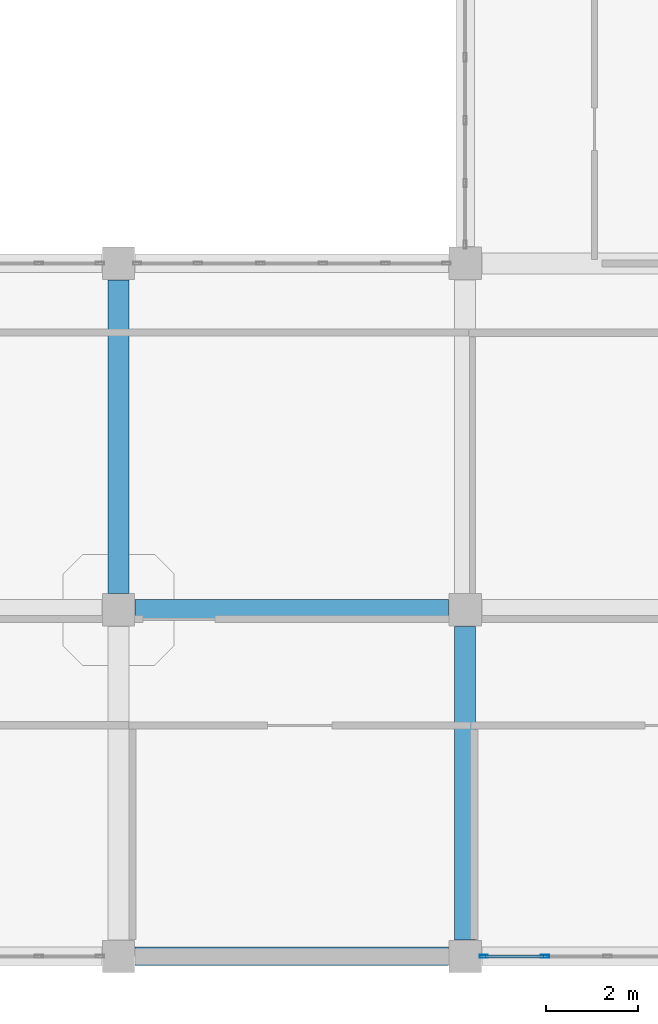
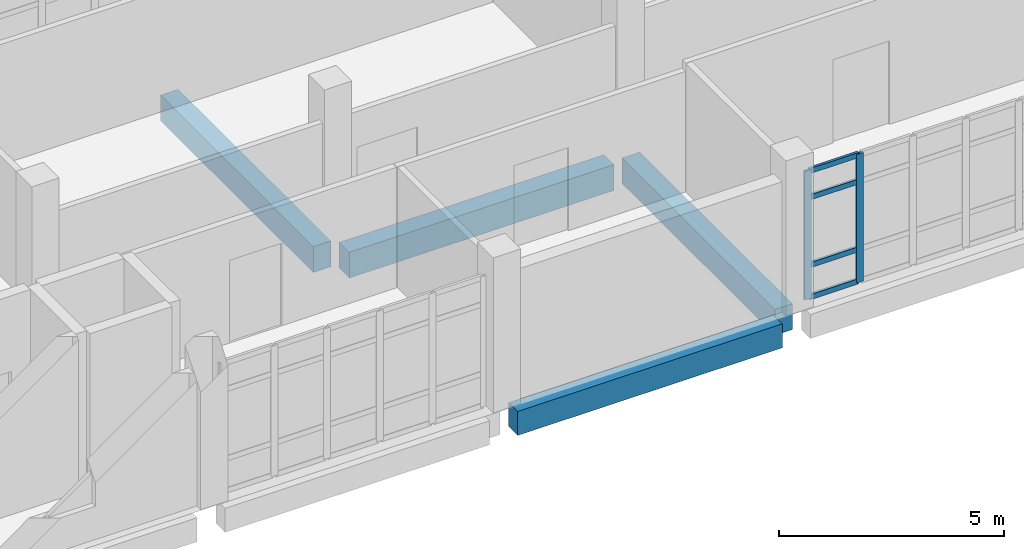
# One storey, part 19 of 164: 6 members, 4 beams, 1 element without a shape of its own.
"""IFC4 building model written with IfcOpenShell, lengths in metres."""

from ifc_helpers import new_model, si_unit, direction, frame, origin, origin_2d, place, context, subcontext, project, spatial, rectangle, hollow_rectangle, extrude, material, layer, layer_set, material_profile, profile_set, type_object, element, aggregate, save


model = new_model("IFC4")

# Units and contexts
model_context = context("Model", 3, precision=1e-05, world=origin(), true_north=direction((0.0, 1.0)))
body_context = subcontext(model_context, "Body", "Model", "MODEL_VIEW")
ifc_project = project(units=[si_unit("LENGTHUNIT", "METRE"), si_unit("AREAUNIT", "SQUARE_METRE"), si_unit("VOLUMEUNIT", "CUBIC_METRE"), si_unit("PLANEANGLEUNIT", "RADIAN"), si_unit("MASSUNIT", "GRAM", prefix="KILO")], contexts=[model_context])

# Site, building, storey
site_placement = place(None, origin())
site = spatial("IfcSite", under=ifc_project, at=site_placement, CompositionType="ELEMENT")
building_placement = place(site_placement, origin())
building = spatial("IfcBuilding", under=site, at=building_placement, Name="Mawjan Specialist Oncology Clinic", CompositionType="ELEMENT")
storey_placement = place(building_placement, frame((0.0, 0.0, 5.0)))
storey = spatial("IfcBuildingStorey", under=building, at=storey_placement, Name="L01", CompositionType="ELEMENT", Elevation=5.0)

# Beams
ifc_material_1 = material(Name="Concrete C40/50", Category="concrete")
ifc_material_profile_1 = material_profile(ifc_material_1, rectangle(XDim=0.449951171875, YDim=0.699951171875, at=origin_2d()), Name="RC BM 450x700", Category="concrete")
ifc_profile_set_1 = profile_set([ifc_material_profile_1], Name="Concrete C40/50")
beam_type_1 = type_object("IfcBeamType", Name="BM-450x700", PredefinedType="BEAM", material=ifc_profile_set_1)
beam_1_placement = place(storey_placement, frame((22.860107421875, 8.300048828125, -0.8701171875), z_axis=(1.0, 0.0, 0.0), x_axis=(0.0, 1.0, 0.0)))
element("IfcBeam", 1, at=beam_1_placement, inside=storey, type_object=beam_type_1, Name="L01 Collector Beam BM-L01-0234", PredefinedType="BEAM", context=body_context, shape_type="SweptSolid", body=[
    extrude(rectangle(XDim=0.449951171875, YDim=0.699951171875, at=origin_2d()), origin(), (0.0, 0.0, 1.0), 6.77978515625),
])
for number, where, z_axis, x_axis, name in (
    (2, (22.5, 8.659912109375, -0.8701171875), (0.0, 1.0, 0.0), (-1.0, 0.0, 0.0), "L01 Collector Beam BM-L01-0447"),
    (3, (30.0, 1.159912109375, -0.64990234375), (0.0, 1.0, 0.0), (-1.0, 0.0, 0.0), "L01 Collector Beam BM-L01-0452"),
):
    element("IfcBeam", number, at=place(storey_placement, frame(where, z_axis=z_axis, x_axis=x_axis)), inside=storey, type_object=beam_type_1, Name=name, PredefinedType="BEAM", context=body_context, shape_type="SweptSolid", body=[
        extrude(rectangle(XDim=0.449951171875, YDim=0.699951171875, at=origin_2d()), origin(), (0.0, 0.0, 1.0), 6.780029296875),
    ])

# Curtain wall, members
ifc_material_2 = material(Name="Unitised spectrally selective aluminium curtain wall", Category="aluminium")
ifc_layer = layer(ifc_material_2, 0.179931640625, Name="Unitised spectrally selective aluminium curtain wall", Category="aluminium")
ifc_layer_set = layer_set([ifc_layer], Name="Unitised spectrally selective aluminium curtain wall")
curtain_wall_type = type_object("IfcCurtainWallType", Name="CW-72", PredefinedType="NOTDEFINED", material=ifc_layer_set)
curtain_wall_placement = place(storey_placement, origin())
curtain_wall = element("IfcCurtainWall", 4, at=curtain_wall_placement, inside=storey, type_object=curtain_wall_type, Name="L01 Unitised Curtain Wall CW-L01-142", PredefinedType="NOTDEFINED")
ifc_material_3 = material(Name="Thermally broken aluminium 6063-T6", Category="aluminium")
ifc_material_profile_2 = material_profile(ifc_material_3, hollow_rectangle(XDim=0.06494140625, YDim=0.179931640625, WallThickness=0.00390625, at=origin_2d()), Name="ALU MULLION 180x65x4", Category="aluminium")
ifc_profile_set_2 = profile_set([ifc_material_profile_2], Name="Thermally broken aluminium 6063-T6")
member_type_1 = type_object("IfcMemberType", Name="CW-M180", PredefinedType="MULLION", material=ifc_profile_set_2)
member_1_placement = place(storey_placement, frame((31.72705078125, 0.800048828125, 0.0), z_axis=(0.0, 0.0, 1.0), x_axis=(0.0, -1.0, 0.0)))
member_1 = element("IfcMember", 5, at=member_1_placement, type_object=member_type_1, Name="CW-72 mullion 5", PredefinedType="MULLION", context=body_context, shape_type="SweptSolid", body=[
    extrude(hollow_rectangle(XDim=0.06494140625, YDim=0.179931640625, WallThickness=0.00390625, at=origin_2d()), origin(), (0.0, 0.0, 1.0), 3.485107421875),
])
member_2_placement = place(storey_placement, frame((30.402587890625, 0.800048828125, 0.0), z_axis=(0.0, 0.0, 1.0), x_axis=(0.0, -1.0, 0.0)))
member_2 = element("IfcMember", 6, at=member_2_placement, type_object=member_type_1, Name="CW-72 mullion 6", PredefinedType="MULLION", context=body_context, shape_type="SweptSolid", body=[
    extrude(hollow_rectangle(XDim=0.06494140625, YDim=0.179931640625, WallThickness=0.00390625, at=origin_2d()), origin(), (0.0, 0.0, 1.0), 3.485107421875),
])
ifc_material_4 = material(Name="Thermally broken aluminium 6063-T6", Category="aluminium")
ifc_material_profile_3 = material_profile(ifc_material_4, hollow_rectangle(XDim=0.06494140625, YDim=0.139892578125, WallThickness=0.00390625, at=origin_2d()), Name="ALU TRANSOM 140x65x4", Category="aluminium")
ifc_profile_set_3 = profile_set([ifc_material_profile_3], Name="Thermally broken aluminium 6063-T6")
member_type_2 = type_object("IfcMemberType", Name="CW-T140", PredefinedType="USERDEFINED", material=ifc_profile_set_3)
member_3_placement = place(storey_placement, frame((31.694580078125, 0.800048828125, 0.032470703125), z_axis=(-1.0, 0.0, 0.0), x_axis=(0.0, -1.0, 0.0)))
member_3 = element("IfcMember", 7, at=member_3_placement, type_object=member_type_2, Name="CW-72 transom 5.1", ObjectType="TRANSOM", PredefinedType="USERDEFINED", context=body_context, shape_type="SweptSolid", body=[
    extrude(hollow_rectangle(XDim=0.06494140625, YDim=0.139892578125, WallThickness=0.00390625, at=origin_2d()), origin(), (0.0, 0.0, 1.0), 1.259521484375),
])
member_4_placement = place(storey_placement, frame((31.694580078125, 0.800048828125, 0.89990234375), z_axis=(-1.0, 0.0, 0.0), x_axis=(0.0, -1.0, 0.0)))
member_4 = element("IfcMember", 8, at=member_4_placement, type_object=member_type_2, Name="CW-72 transom 5.2", ObjectType="TRANSOM", PredefinedType="USERDEFINED", context=body_context, shape_type="SweptSolid", body=[
    extrude(hollow_rectangle(XDim=0.06494140625, YDim=0.139892578125, WallThickness=0.00390625, at=origin_2d()), origin(), (0.0, 0.0, 1.0), 1.259521484375),
])
member_5_placement = place(storey_placement, frame((31.694580078125, 0.800048828125, 2.735107421875), z_axis=(-1.0, 0.0, 0.0), x_axis=(0.0, -1.0, 0.0)))
member_5 = element("IfcMember", 9, at=member_5_placement, type_object=member_type_2, Name="CW-72 transom 5.3", ObjectType="TRANSOM", PredefinedType="USERDEFINED", context=body_context, shape_type="SweptSolid", body=[
    extrude(hollow_rectangle(XDim=0.06494140625, YDim=0.139892578125, WallThickness=0.00390625, at=origin_2d()), origin(), (0.0, 0.0, 1.0), 1.259521484375),
])
member_6_placement = place(storey_placement, frame((31.694580078125, 0.800048828125, 3.452392578125), z_axis=(-1.0, 0.0, 0.0), x_axis=(0.0, -1.0, 0.0)))
member_6 = element("IfcMember", 10, at=member_6_placement, type_object=member_type_2, Name="CW-72 transom 5.4", ObjectType="TRANSOM", PredefinedType="USERDEFINED", context=body_context, shape_type="SweptSolid", body=[
    extrude(hollow_rectangle(XDim=0.06494140625, YDim=0.139892578125, WallThickness=0.00390625, at=origin_2d()), origin(), (0.0, 0.0, 1.0), 1.259521484375),
])
aggregate(curtain_wall, [member_1, member_2, member_3, member_4, member_5, member_6])

# Beam
ifc_material_5 = material(Name="Concrete C45/55", Category="concrete")
ifc_material_profile_4 = material_profile(ifc_material_5, rectangle(XDim=0.39990234375, YDim=0.64990234375, at=origin_2d()), Name="RC BM 400x650", Category="concrete")
ifc_profile_set_4 = profile_set([ifc_material_profile_4], Name="Concrete C45/55")
beam_type_2 = type_object("IfcBeamType", Name="SP-400x650", PredefinedType="SPANDREL", material=ifc_profile_set_4)
beam_2_placement = place(storey_placement, frame((22.860107421875, 0.800048828125, -0.625), z_axis=(1.0, 0.0, 0.0), x_axis=(0.0, 1.0, 0.0)))
element("IfcBeam", 11, at=beam_2_placement, inside=storey, type_object=beam_type_2, Name="L01 Spandrel Beam BM-L01-0228", PredefinedType="SPANDREL", context=body_context, shape_type="SweptSolid", body=[
    extrude(rectangle(XDim=0.39990234375, YDim=0.64990234375, at=origin_2d()), origin(), (0.0, 0.0, 1.0), 6.77978515625),
])

save(model, "model.ifc")
